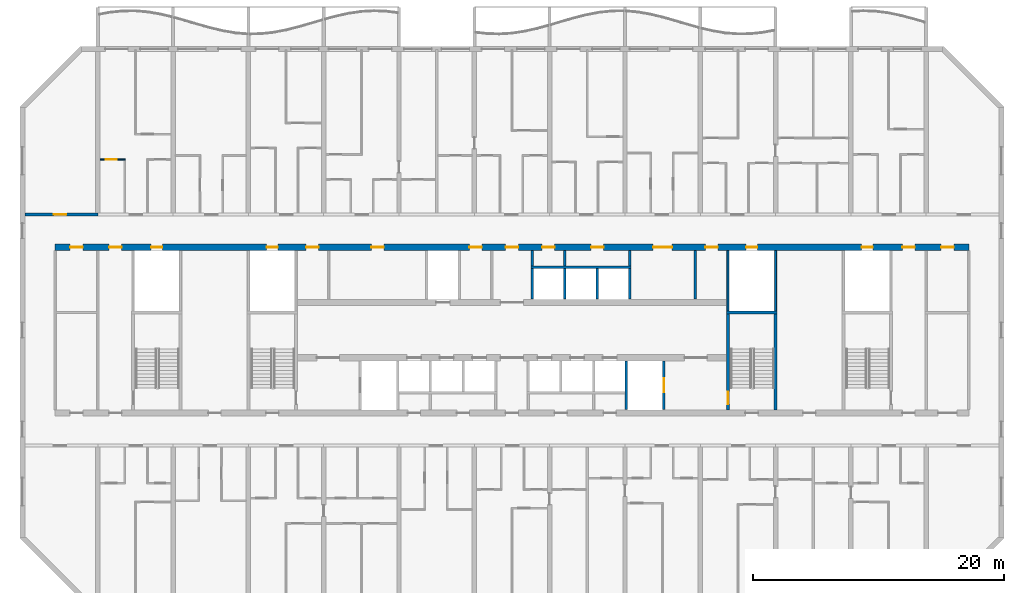
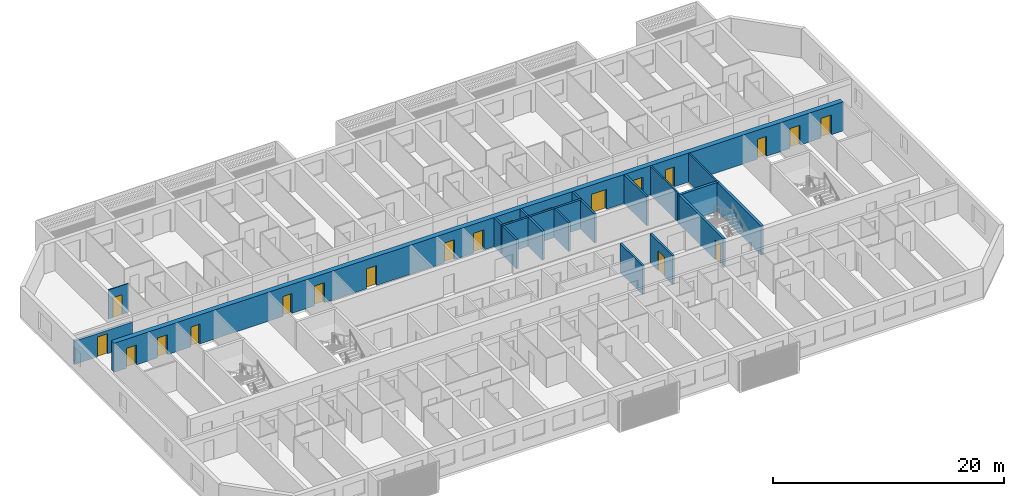
# One storey, part 8 of 24: 20 doors, 19 walls, 20 openings.
"""IFC4 building model written with IfcOpenShell, lengths in metres."""

from ifc_helpers import new_model, si_unit, direction, frame, frame_2d, origin, place, context, subcontext, project, spatial, rectangle, extrude, material, layer, layer_set, type_object, element, fill, save


model = new_model("IFC4")

# Units and contexts
model_context = context("Model", 3, precision=1e-05, world=origin(), true_north=direction((0.0, 1.0)))
body_context = subcontext(model_context, "Body", "Model", "MODEL_VIEW")
ifc_project = project(units=[si_unit("LENGTHUNIT", "METRE"), si_unit("AREAUNIT", "SQUARE_METRE"), si_unit("VOLUMEUNIT", "CUBIC_METRE"), si_unit("PLANEANGLEUNIT", "RADIAN"), si_unit("MASSUNIT", "GRAM", prefix="KILO")], contexts=[model_context])

# Site, building, storey
site_placement = place(None, origin())
site = spatial("IfcSite", under=ifc_project, at=site_placement, CompositionType="ELEMENT")
building_placement = place(site_placement, origin())
building = spatial("IfcBuilding", under=site, at=building_placement, Name="Poui Terraces", CompositionType="ELEMENT")
storey_placement = place(building_placement, frame((0.0, 0.0, 109.199951171875)))
storey = spatial("IfcBuildingStorey", under=building, at=storey_placement, Name="L30", CompositionType="ELEMENT", Elevation=109.199951171875)

# Wall, opening, door
ifc_material_1 = material(Name="Concrete 65 MPa", Category="concrete")
ifc_layer_1 = layer(ifc_material_1, 0.25)
ifc_layer_set_1 = layer_set([ifc_layer_1], Name="Concrete 65 MPa")
wall_type_1 = type_object("IfcWallType", Name="CORRIDOR WALL 250 65MPa", PredefinedType="SHEAR", material=ifc_layer_set_1)
wall_1_placement = place(storey_placement, frame((12.199951171875, 30.39990234375, 0.0), z_axis=(0.0, 0.0, 1.0), x_axis=(1.0, 0.0, 0.0)))
wall_1 = element("IfcWall", 1, at=wall_1_placement, inside=storey, type_object=wall_type_1, Name="CORRIDOR WALL LINE E BAY 1", PredefinedType="SHEAR", context=body_context, shape_type="SweptSolid", body=[
    extrude(rectangle(XDim=5.800048828125, YDim=0.25, at=frame_2d((2.89990234375, 0.0))), origin(), (0.0, 0.0, 1.0), 2.4599609375),
])
opening_1_placement = place(wall_1_placement, frame((2.300048828125, 0.0, 0.0)))
opening_1 = element("IfcOpeningElement", 2, at=opening_1_placement, cuts=wall_1, Name="Opening D100", PredefinedType="OPENING", context=body_context, shape_type="SweptSolid", body=[
    extrude(rectangle(XDim=1.0, YDim=2.10009765625, at=frame_2d((0.5, 1.050048828125))), frame((0.0, 0.135009765625, 0.0), z_axis=(0.0, -1.0, 0.0), x_axis=(1.0, 0.0, 0.0)), (0.0, 0.0, 1.0), 0.27001953125),
])
ifc_material_2 = material(Name="Solid core timber door", Category="wood")
door_type_1 = type_object("IfcDoorType", Name="ACCESSIBLE INTERNAL DOOR 1000 X 2100", OperationType="NOTDEFINED", PredefinedType="DOOR", material=ifc_material_2)
door_1_placement = place(opening_1_placement, origin())
door_1 = element("IfcDoor", 3, at=door_1_placement, inside=storey, type_object=door_type_1, Name="ACCESSIBLE INTERNAL DOOR 030", OperationType="SINGLE_SWING_LEFT", OverallHeight=2.10009765625, OverallWidth=1.0, PredefinedType="DOOR", context=body_context, shape_type="SweptSolid", body=[
    extrude(rectangle(XDim=1.0, YDim=2.10009765625, at=frame_2d((0.5, 1.050048828125))), frame((0.0, 0.02490234375, 0.0), z_axis=(0.0, -1.0, 0.0), x_axis=(1.0, 0.0, 0.0)), (0.0, 0.0, 1.0), 0.050048828125),
])
fill(opening_1, door_1)

ifc_material_3 = material(Name="Plasterboard partition")
ifc_layer_2 = layer(ifc_material_3, 0.10009765625)
ifc_layer_set_2 = layer_set([ifc_layer_2], Name="Plasterboard partition")
wall_type_2 = type_object("IfcWallType", Name="FLAT PARTITION 100", PredefinedType="PARTITIONING", material=ifc_layer_set_2)
wall_2_placement = place(storey_placement, frame((18.18505859375, 34.800048828125, 0.0), z_axis=(0.0, 0.0, 1.0), x_axis=(1.0, 0.0, 0.0)))
wall_2 = element("IfcWall", 4, at=wall_2_placement, inside=storey, type_object=wall_type_2, Name="FLAT PARTITION 100", PredefinedType="PARTITIONING", context=body_context, shape_type="SweptSolid", body=[
    extrude(rectangle(XDim=2.014892578125, YDim=0.10009765625, at=frame_2d((1.00732421875, 0.0))), origin(), (0.0, 0.0, 1.0), 3.06005859375),
])
opening_2_placement = place(wall_2_placement, frame((0.43994140625, 0.0, 0.0)))
opening_2 = element("IfcOpeningElement", 5, at=opening_2_placement, cuts=wall_2, Name="Opening D90", PredefinedType="OPENING", context=body_context, shape_type="SweptSolid", body=[
    extrude(rectangle(XDim=0.89990234375, YDim=2.10009765625, at=frame_2d((0.449951171875, 1.050048828125))), frame((0.0, 0.06005859375, 0.0), z_axis=(0.0, -1.0, 0.0), x_axis=(1.0, 0.0, 0.0)), (0.0, 0.0, 1.0), 0.1201171875),
])
door_type_2 = type_object("IfcDoorType", Name="INTERNAL DOOR 900 X 2100", OperationType="NOTDEFINED", PredefinedType="DOOR", material=ifc_material_2)
door_2_placement = place(opening_2_placement, frame((0.89990234375, 0.0, 0.0), z_axis=(0.0, 0.0, 1.0), x_axis=(-1.0, 0.0, 0.0)))
door_2 = element("IfcDoor", 6, at=door_2_placement, inside=storey, type_object=door_type_2, Name="INTERNAL DOOR 031", OperationType="SINGLE_SWING_LEFT", OverallHeight=2.10009765625, OverallWidth=0.89990234375, PredefinedType="DOOR", context=body_context, shape_type="SweptSolid", body=[
    extrude(rectangle(XDim=0.89990234375, YDim=2.10009765625, at=frame_2d((0.449951171875, 1.050048828125))), frame((0.0, 0.02490234375, 0.0), z_axis=(0.0, -1.0, 0.0), x_axis=(1.0, 0.0, 0.0)), (0.0, 0.0, 1.0), 0.050048828125),
])
fill(opening_2, door_2)

# Walls
ifc_material_4 = material(Name="Fire-rated masonry wall", Category="masonry")
ifc_layer_3 = layer(ifc_material_4, 0.199951171875)
ifc_layer_set_3 = layer_set([ifc_layer_3], Name="Fire-rated masonry wall")
wall_type_3 = type_object("IfcWallType", Name="PLANT ROOM WALL 200", PredefinedType="PARTITIONING", material=ifc_layer_set_3)
for number, where, z_axis, x_axis, name in (
    (7, (52.60009765625, 26.300048828125, 0.0), (0.0, 0.0, 1.0), (0.0, 1.0, 0.0), "PLANT ROOM WALL 200"),
    (8, (55.199951171875, 26.300048828125, 0.0), (0.0, 0.0, 1.0), (0.0, 1.0, 0.0), "PLANT ROOM WALL 200"),
    (9, (60.39990234375, 26.300048828125, 0.0), (0.0, 0.0, 1.0), (0.0, 1.0, 0.0), "PLANT ROOM WALL 200"),
):
    element("IfcWall", number, at=place(storey_placement, frame(where, z_axis=z_axis, x_axis=x_axis)), inside=storey, type_object=wall_type_3, Name=name, PredefinedType="PARTITIONING", context=body_context, shape_type="SweptSolid", body=[
        extrude(rectangle(XDim=1.239990234375, YDim=0.199951171875, at=frame_2d((0.6201171875, 0.0))), origin(), (0.0, 0.0, 1.0), 3.06005859375),
    ])
wall_3_placement = place(storey_placement, frame((65.60009765625, 23.659912109375, 0.0), z_axis=(0.0, 0.0, 1.0), x_axis=(0.0, 1.0, 0.0)))
element("IfcWall", 10, at=wall_3_placement, inside=storey, type_object=wall_type_3, Name="PLANT ROOM WALL 200", PredefinedType="PARTITIONING", context=body_context, shape_type="SweptSolid", body=[
    extrude(rectangle(XDim=3.880126953125, YDim=0.199951171875, at=frame_2d((1.93994140625, 0.0))), origin(), (0.0, 0.0, 1.0), 3.06005859375),
])
ifc_material_5 = material(Name="Fire-rated plasterboard riser wall")
ifc_layer_4 = layer(ifc_material_5, 0.14990234375)
ifc_layer_set_4 = layer_set([ifc_layer_4], Name="Fire-rated plasterboard riser wall")
wall_type_4 = type_object("IfcWallType", Name="RISER WALL 150", PredefinedType="PARTITIONING", material=ifc_layer_set_4)
for number, where, z_axis, x_axis, name in (
    (11, (68.199951171875, 22.735107421875, 0.0), (0.0, 0.0, 1.0), (0.0, 1.0, 0.0), "RISER WALL 150"),
    (12, (72.0, 22.735107421875, 0.0), (0.0, 0.0, 1.0), (0.0, 1.0, 0.0), "RISER WALL 150"),
):
    element("IfcWall", number, at=place(storey_placement, frame(where, z_axis=z_axis, x_axis=x_axis)), inside=storey, type_object=wall_type_4, Name=name, PredefinedType="PARTITIONING", context=body_context, shape_type="SweptSolid", body=[
        extrude(rectangle(XDim=4.804931640625, YDim=0.14990234375, at=frame_2d((2.40234375, 0.0))), origin(), (0.0, 0.0, 1.0), 3.06005859375),
    ])
ifc_material_6 = material(Name="Fire-rated masonry shaft wall", Category="masonry")
ifc_layer_5 = layer(ifc_material_6, 0.199951171875)
ifc_layer_set_5 = layer_set([ifc_layer_5], Name="Fire-rated masonry shaft wall")
wall_type_5 = type_object("IfcWallType", Name="SHAFT WALL 200", PredefinedType="PARTITIONING", material=ifc_layer_set_5)
wall_4_placement = place(storey_placement, frame((52.5, 26.199951171875, 0.0), z_axis=(0.0, 0.0, 1.0), x_axis=(1.0, 0.0, 0.0)))
element("IfcWall", 13, at=wall_4_placement, inside=storey, type_object=wall_type_5, Name="SHAFT WALL 200", PredefinedType="PARTITIONING", context=body_context, shape_type="SweptSolid", body=[
    extrude(rectangle(XDim=8.0, YDim=0.199951171875, at=frame_2d((4.0, 0.0))), origin(), (0.0, 0.0, 1.0), 3.06005859375),
])
for number, where, z_axis, x_axis, name in (
    (14, (52.60009765625, 23.659912109375, 0.0), (0.0, 0.0, 1.0), (0.0, 1.0, 0.0), "SHAFT WALL 200"),
    (15, (55.199951171875, 23.659912109375, 0.0), (0.0, 0.0, 1.0), (0.0, 1.0, 0.0), "SHAFT WALL 200"),
    (16, (57.800048828125, 23.659912109375, 0.0), (0.0, 0.0, 1.0), (0.0, 1.0, 0.0), "SHAFT WALL 200"),
):
    element("IfcWall", number, at=place(storey_placement, frame(where, z_axis=z_axis, x_axis=x_axis)), inside=storey, type_object=wall_type_5, Name=name, PredefinedType="PARTITIONING", context=body_context, shape_type="SweptSolid", body=[
        extrude(rectangle(XDim=2.440185546875, YDim=0.199951171875, at=frame_2d((1.22021484375, 0.0))), origin(), (0.0, 0.0, 1.0), 3.06005859375),
    ])
wall_5_placement = place(storey_placement, frame((60.10009765625, 14.860107421875, 0.0), z_axis=(0.0, 0.0, 1.0), x_axis=(0.0, 1.0, 0.0)))
element("IfcWall", 17, at=wall_5_placement, inside=storey, type_object=wall_type_5, Name="SHAFT WALL 200", PredefinedType="PARTITIONING", context=body_context, shape_type="SweptSolid", body=[
    extrude(rectangle(XDim=3.8798828125, YDim=0.199951171875, at=frame_2d((1.93994140625, 0.0))), origin(), (0.0, 0.0, 1.0), 3.06005859375),
])
wall_6_placement = place(storey_placement, frame((60.39990234375, 23.659912109375, 0.0), z_axis=(0.0, 0.0, 1.0), x_axis=(0.0, 1.0, 0.0)))
element("IfcWall", 18, at=wall_6_placement, inside=storey, type_object=wall_type_5, Name="SHAFT WALL 200", PredefinedType="PARTITIONING", context=body_context, shape_type="SweptSolid", body=[
    extrude(rectangle(XDim=2.440185546875, YDim=0.199951171875, at=frame_2d((1.22021484375, 0.0))), origin(), (0.0, 0.0, 1.0), 3.06005859375),
])

# Wall, opening, door
wall_7_placement = place(storey_placement, frame((63.10009765625, 14.860107421875, 0.0), z_axis=(0.0, 0.0, 1.0), x_axis=(0.0, 1.0, 0.0)))
wall_7 = element("IfcWall", 19, at=wall_7_placement, inside=storey, type_object=wall_type_5, Name="SHAFT WALL 200", PredefinedType="PARTITIONING", context=body_context, shape_type="SweptSolid", body=[
    extrude(rectangle(XDim=3.8798828125, YDim=0.199951171875, at=frame_2d((1.93994140625, 0.0))), origin(), (0.0, 0.0, 1.0), 3.06005859375),
])
opening_3_placement = place(wall_7_placement, frame((1.389892578125, 0.0, 0.0)))
opening_3 = element("IfcOpeningElement", 20, at=opening_3_placement, cuts=wall_7, Name="Opening LD", PredefinedType="OPENING", context=body_context, shape_type="SweptSolid", body=[
    extrude(rectangle(XDim=1.10009765625, YDim=2.10009765625, at=frame_2d((0.550048828125, 1.050048828125))), frame((0.0, 0.10986328125, 0.0), z_axis=(0.0, -1.0, 0.0), x_axis=(1.0, 0.0, 0.0)), (0.0, 0.0, 1.0), 0.219970703125),
])
ifc_material_7 = material(Name="Stainless steel sliding door", Category="steel")
door_type_3 = type_object("IfcDoorType", Name="LIFT LANDING DOOR 1100 X 2100", OperationType="DOUBLE_DOOR_SLIDING", PredefinedType="DOOR", material=ifc_material_7)
door_3_placement = place(opening_3_placement, origin())
door_3 = element("IfcDoor", 21, at=door_3_placement, inside=storey, type_object=door_type_3, Name="LANDING DOOR", OperationType="DOUBLE_DOOR_SLIDING", OverallHeight=2.10009765625, OverallWidth=1.10009765625, PredefinedType="DOOR", context=body_context, shape_type="SweptSolid", body=[
    extrude(rectangle(XDim=1.10009765625, YDim=2.10009765625, at=frame_2d((0.550048828125, 1.050048828125))), frame((0.0, 0.02490234375, 0.0), z_axis=(0.0, -1.0, 0.0), x_axis=(1.0, 0.0, 0.0)), (0.0, 0.0, 1.0), 0.050048828125),
])
fill(opening_3, door_3)

# Wall, openings, doors
ifc_layer_6 = layer(ifc_material_1, 0.5)
ifc_layer_set_6 = layer_set([ifc_layer_6], Name="Concrete 65 MPa")
wall_type_6 = type_object("IfcWallType", Name="SPINE WALL 500 65 MPA", PredefinedType="SOLIDWALL", material=ifc_layer_set_6)
wall_8_placement = place(storey_placement, frame((14.60009765625, 27.800048828125, 0.0), z_axis=(0.0, 0.0, 1.0), x_axis=(1.0, 0.0, 0.0)))
wall_8 = element("IfcWall", 22, at=wall_8_placement, inside=storey, type_object=wall_type_6, Name="SPINE WALL", PredefinedType="SOLIDWALL", context=body_context, shape_type="SweptSolid", body=[
    extrude(rectangle(XDim=72.7998046875, YDim=0.5, at=frame_2d((36.39990234375, 0.0))), origin(), (0.0, 0.0, 1.0), 3.06005859375),
])
opening_4_placement = place(wall_8_placement, frame((1.199951171875, 0.0, 0.0)))
opening_4 = element("IfcOpeningElement", 23, at=opening_4_placement, cuts=wall_8, Name="Opening D100", PredefinedType="OPENING", context=body_context, shape_type="SweptSolid", body=[
    extrude(rectangle(XDim=1.0, YDim=2.10009765625, at=frame_2d((0.5, 1.050048828125))), frame((0.0, 0.260009765625, 0.0), z_axis=(0.0, -1.0, 0.0), x_axis=(1.0, 0.0, 0.0)), (0.0, 0.0, 1.0), 0.52001953125),
])
opening_5_placement = place(wall_8_placement, frame((4.300048828125, 0.0, 0.0)))
opening_5 = element("IfcOpeningElement", 24, at=opening_5_placement, cuts=wall_8, Name="Opening FDL", PredefinedType="OPENING", context=body_context, shape_type="SweptSolid", body=[
    extrude(rectangle(XDim=1.0, YDim=2.10009765625, at=frame_2d((0.5, 1.050048828125))), frame((0.0, 0.260009765625, 0.0), z_axis=(0.0, -1.0, 0.0), x_axis=(1.0, 0.0, 0.0)), (0.0, 0.0, 1.0), 0.52001953125),
])
opening_6_placement = place(wall_8_placement, frame((7.64990234375, 0.0, 0.0)))
opening_6 = element("IfcOpeningElement", 25, at=opening_6_placement, cuts=wall_8, Name="Opening FDR", PredefinedType="OPENING", context=body_context, shape_type="SweptSolid", body=[
    extrude(rectangle(XDim=0.89990234375, YDim=2.10009765625, at=frame_2d((0.449951171875, 1.050048828125))), frame((0.0, 0.260009765625, 0.0), z_axis=(0.0, -1.0, 0.0), x_axis=(1.0, 0.0, 0.0)), (0.0, 0.0, 1.0), 0.52001953125),
])
opening_7_placement = place(wall_8_placement, frame((16.85009765625, 0.0, 0.0)))
opening_7 = element("IfcOpeningElement", 26, at=opening_7_placement, cuts=wall_8, Name="Opening FDR", PredefinedType="OPENING", context=body_context, shape_type="SweptSolid", body=[
    extrude(rectangle(XDim=0.89990234375, YDim=2.10009765625, at=frame_2d((0.449951171875, 1.050048828125))), frame((0.0, 0.260009765625, 0.0), z_axis=(0.0, -1.0, 0.0), x_axis=(1.0, 0.0, 0.0)), (0.0, 0.0, 1.0), 0.52001953125),
])
opening_8_placement = place(wall_8_placement, frame((20.0, 0.0, 0.0)))
opening_8 = element("IfcOpeningElement", 27, at=opening_8_placement, cuts=wall_8, Name="Opening FD60", PredefinedType="OPENING", context=body_context, shape_type="SweptSolid", body=[
    extrude(rectangle(XDim=1.0, YDim=2.10009765625, at=frame_2d((0.5, 1.050048828125))), frame((0.0, 0.260009765625, 0.0), z_axis=(0.0, -1.0, 0.0), x_axis=(1.0, 0.0, 0.0)), (0.0, 0.0, 1.0), 0.52001953125),
])
opening_9_placement = place(wall_8_placement, frame((25.199951171875, 0.0, 0.0)))
opening_9 = element("IfcOpeningElement", 28, at=opening_9_placement, cuts=wall_8, Name="Opening FD60", PredefinedType="OPENING", context=body_context, shape_type="SweptSolid", body=[
    extrude(rectangle(XDim=1.0, YDim=2.10009765625, at=frame_2d((0.5, 1.050048828125))), frame((0.0, 0.260009765625, 0.0), z_axis=(0.0, -1.0, 0.0), x_axis=(1.0, 0.0, 0.0)), (0.0, 0.0, 1.0), 0.52001953125),
])
opening_10_placement = place(wall_8_placement, frame((33.0, 0.0, 0.0)))
opening_10 = element("IfcOpeningElement", 29, at=opening_10_placement, cuts=wall_8, Name="Opening FD60", PredefinedType="OPENING", context=body_context, shape_type="SweptSolid", body=[
    extrude(rectangle(XDim=1.0, YDim=2.10009765625, at=frame_2d((0.5, 1.050048828125))), frame((0.0, 0.260009765625, 0.0), z_axis=(0.0, -1.0, 0.0), x_axis=(1.0, 0.0, 0.0)), (0.0, 0.0, 1.0), 0.52001953125),
])
opening_11_placement = place(wall_8_placement, frame((35.89990234375, 0.0, 0.0)))
opening_11 = element("IfcOpeningElement", 30, at=opening_11_placement, cuts=wall_8, Name="Opening FDL", PredefinedType="OPENING", context=body_context, shape_type="SweptSolid", body=[
    extrude(rectangle(XDim=1.0, YDim=2.10009765625, at=frame_2d((0.5, 1.050048828125))), frame((0.0, 0.260009765625, 0.0), z_axis=(0.0, -1.0, 0.0), x_axis=(1.0, 0.0, 0.0)), (0.0, 0.0, 1.0), 0.52001953125),
])
opening_12_placement = place(wall_8_placement, frame((38.800048828125, 0.0, 0.0)))
opening_12 = element("IfcOpeningElement", 31, at=opening_12_placement, cuts=wall_8, Name="Opening FD60", PredefinedType="OPENING", context=body_context, shape_type="SweptSolid", body=[
    extrude(rectangle(XDim=1.0, YDim=2.10009765625, at=frame_2d((0.5, 1.050048828125))), frame((0.0, 0.260009765625, 0.0), z_axis=(0.0, -1.0, 0.0), x_axis=(1.0, 0.0, 0.0)), (0.0, 0.0, 1.0), 0.52001953125),
])
opening_13_placement = place(wall_8_placement, frame((42.699951171875, 0.0, 0.0)))
opening_13 = element("IfcOpeningElement", 32, at=opening_13_placement, cuts=wall_8, Name="Opening FD60", PredefinedType="OPENING", context=body_context, shape_type="SweptSolid", body=[
    extrude(rectangle(XDim=1.0, YDim=2.10009765625, at=frame_2d((0.5, 1.050048828125))), frame((0.0, 0.260009765625, 0.0), z_axis=(0.0, -1.0, 0.0), x_axis=(1.0, 0.0, 0.0)), (0.0, 0.0, 1.0), 0.52001953125),
])
opening_14_placement = place(wall_8_placement, frame((47.64990234375, 0.0, 0.0)))
opening_14 = element("IfcOpeningElement", 33, at=opening_14_placement, cuts=wall_8, Name="Opening FDP", PredefinedType="OPENING", context=body_context, shape_type="SweptSolid", body=[
    extrude(rectangle(XDim=1.5, YDim=2.10009765625, at=frame_2d((0.75, 1.050048828125))), frame((0.0, 0.260009765625, 0.0), z_axis=(0.0, -1.0, 0.0), x_axis=(1.0, 0.0, 0.0)), (0.0, 0.0, 1.0), 0.52001953125),
])
opening_15_placement = place(wall_8_placement, frame((51.800048828125, 0.0, 0.0)))
opening_15 = element("IfcOpeningElement", 34, at=opening_15_placement, cuts=wall_8, Name="Opening FD60", PredefinedType="OPENING", context=body_context, shape_type="SweptSolid", body=[
    extrude(rectangle(XDim=1.0, YDim=2.10009765625, at=frame_2d((0.5, 1.050048828125))), frame((0.0, 0.260009765625, 0.0), z_axis=(0.0, -1.0, 0.0), x_axis=(1.0, 0.0, 0.0)), (0.0, 0.0, 1.0), 0.52001953125),
])
opening_16_placement = place(wall_8_placement, frame((55.050048828125, 0.0, 0.0)))
opening_16 = element("IfcOpeningElement", 35, at=opening_16_placement, cuts=wall_8, Name="Opening FDR", PredefinedType="OPENING", context=body_context, shape_type="SweptSolid", body=[
    extrude(rectangle(XDim=0.89990234375, YDim=2.10009765625, at=frame_2d((0.449951171875, 1.050048828125))), frame((0.0, 0.260009765625, 0.0), z_axis=(0.0, -1.0, 0.0), x_axis=(1.0, 0.0, 0.0)), (0.0, 0.0, 1.0), 0.52001953125),
])
opening_17_placement = place(wall_8_placement, frame((64.25, 0.0, 0.0)))
opening_17 = element("IfcOpeningElement", 36, at=opening_17_placement, cuts=wall_8, Name="Opening FDR", PredefinedType="OPENING", context=body_context, shape_type="SweptSolid", body=[
    extrude(rectangle(XDim=0.89990234375, YDim=2.10009765625, at=frame_2d((0.449951171875, 1.050048828125))), frame((0.0, 0.260009765625, 0.0), z_axis=(0.0, -1.0, 0.0), x_axis=(1.0, 0.0, 0.0)), (0.0, 0.0, 1.0), 0.52001953125),
])
opening_18_placement = place(wall_8_placement, frame((67.5, 0.0, 0.0)))
opening_18 = element("IfcOpeningElement", 37, at=opening_18_placement, cuts=wall_8, Name="Opening FDL", PredefinedType="OPENING", context=body_context, shape_type="SweptSolid", body=[
    extrude(rectangle(XDim=1.0, YDim=2.10009765625, at=frame_2d((0.5, 1.050048828125))), frame((0.0, 0.260009765625, 0.0), z_axis=(0.0, -1.0, 0.0), x_axis=(1.0, 0.0, 0.0)), (0.0, 0.0, 1.0), 0.52001953125),
])
opening_19_placement = place(wall_8_placement, frame((70.60009765625, 0.0, 0.0)))
opening_19 = element("IfcOpeningElement", 38, at=opening_19_placement, cuts=wall_8, Name="Opening D100", PredefinedType="OPENING", context=body_context, shape_type="SweptSolid", body=[
    extrude(rectangle(XDim=1.0, YDim=2.10009765625, at=frame_2d((0.5, 1.050048828125))), frame((0.0, 0.260009765625, 0.0), z_axis=(0.0, -1.0, 0.0), x_axis=(1.0, 0.0, 0.0)), (0.0, 0.0, 1.0), 0.52001953125),
])
door_4_placement = place(opening_4_placement, origin())
door_4 = element("IfcDoor", 39, at=door_4_placement, inside=storey, type_object=door_type_1, Name="ACCESSIBLE INTERNAL DOOR 001", OperationType="SINGLE_SWING_LEFT", OverallHeight=2.10009765625, OverallWidth=1.0, PredefinedType="DOOR", context=body_context, shape_type="SweptSolid", body=[
    extrude(rectangle(XDim=1.0, YDim=2.10009765625, at=frame_2d((0.5, 1.050048828125))), frame((0.0, 0.02490234375, 0.0), z_axis=(0.0, -1.0, 0.0), x_axis=(1.0, 0.0, 0.0)), (0.0, 0.0, 1.0), 0.050048828125),
])
fill(opening_4, door_4)
door_5_placement = place(opening_19_placement, origin())
door_5 = element("IfcDoor", 40, at=door_5_placement, inside=storey, type_object=door_type_1, Name="ACCESSIBLE INTERNAL DOOR 016", OperationType="SINGLE_SWING_LEFT", OverallHeight=2.10009765625, OverallWidth=1.0, PredefinedType="DOOR", context=body_context, shape_type="SweptSolid", body=[
    extrude(rectangle(XDim=1.0, YDim=2.10009765625, at=frame_2d((0.5, 1.050048828125))), frame((0.0, 0.02490234375, 0.0), z_axis=(0.0, -1.0, 0.0), x_axis=(1.0, 0.0, 0.0)), (0.0, 0.0, 1.0), 0.050048828125),
])
fill(opening_19, door_5)
ifc_material_8 = material(Name="Steel fire door", Category="steel")
door_type_4 = type_object("IfcDoorType", Name="LOBBY FIRE DOOR 1000 X 2100", OperationType="NOTDEFINED", PredefinedType="DOOR", material=ifc_material_8)
door_6_placement = place(opening_5_placement, origin())
door_6 = element("IfcDoor", 41, at=door_6_placement, inside=storey, type_object=door_type_4, Name="LOBBY FIRE DOOR 002", OperationType="SINGLE_SWING_LEFT", OverallHeight=2.10009765625, OverallWidth=1.0, PredefinedType="DOOR", context=body_context, shape_type="SweptSolid", body=[
    extrude(rectangle(XDim=1.0, YDim=2.10009765625, at=frame_2d((0.5, 1.050048828125))), frame((0.0, 0.02490234375, 0.0), z_axis=(0.0, -1.0, 0.0), x_axis=(1.0, 0.0, 0.0)), (0.0, 0.0, 1.0), 0.050048828125),
])
fill(opening_5, door_6)
door_7_placement = place(opening_11_placement, origin())
door_7 = element("IfcDoor", 42, at=door_7_placement, inside=storey, type_object=door_type_4, Name="LOBBY FIRE DOOR 008", OperationType="SINGLE_SWING_RIGHT", OverallHeight=2.10009765625, OverallWidth=1.0, PredefinedType="DOOR", context=body_context, shape_type="SweptSolid", body=[
    extrude(rectangle(XDim=1.0, YDim=2.10009765625, at=frame_2d((0.5, 1.050048828125))), frame((0.0, 0.02490234375, 0.0), z_axis=(0.0, -1.0, 0.0), x_axis=(1.0, 0.0, 0.0)), (0.0, 0.0, 1.0), 0.050048828125),
])
fill(opening_11, door_7)
door_8_placement = place(opening_18_placement, origin())
door_8 = element("IfcDoor", 43, at=door_8_placement, inside=storey, type_object=door_type_4, Name="LOBBY FIRE DOOR 015", OperationType="SINGLE_SWING_RIGHT", OverallHeight=2.10009765625, OverallWidth=1.0, PredefinedType="DOOR", context=body_context, shape_type="SweptSolid", body=[
    extrude(rectangle(XDim=1.0, YDim=2.10009765625, at=frame_2d((0.5, 1.050048828125))), frame((0.0, 0.02490234375, 0.0), z_axis=(0.0, -1.0, 0.0), x_axis=(1.0, 0.0, 0.0)), (0.0, 0.0, 1.0), 0.050048828125),
])
fill(opening_18, door_8)
door_type_5 = type_object("IfcDoorType", Name="PLANT ROOM DOOR PAIR 1500 X 2100", OperationType="DOUBLE_DOOR_SINGLE_SWING", PredefinedType="DOOR", material=ifc_material_8)
door_9_placement = place(opening_14_placement, origin())
door_9 = element("IfcDoor", 44, at=door_9_placement, inside=storey, type_object=door_type_5, Name="PLANT ROOM DOOR PAIR 011", OperationType="DOUBLE_DOOR_SINGLE_SWING", OverallHeight=2.10009765625, OverallWidth=1.5, PredefinedType="DOOR", context=body_context, shape_type="SweptSolid", body=[
    extrude(rectangle(XDim=1.5, YDim=2.10009765625, at=frame_2d((0.75, 1.050048828125))), frame((0.0, 0.02490234375, 0.0), z_axis=(0.0, -1.0, 0.0), x_axis=(1.0, 0.0, 0.0)), (0.0, 0.0, 1.0), 0.050048828125),
])
fill(opening_14, door_9)
door_type_6 = type_object("IfcDoorType", Name="RISER CUPBOARD DOOR 900 X 2100", OperationType="NOTDEFINED", PredefinedType="DOOR", material=ifc_material_8)
door_10_placement = place(opening_6_placement, origin())
door_10 = element("IfcDoor", 45, at=door_10_placement, inside=storey, type_object=door_type_6, Name="RISER CUPBOARD DOOR 003", OperationType="SINGLE_SWING_LEFT", OverallHeight=2.10009765625, OverallWidth=0.89990234375, PredefinedType="DOOR", context=body_context, shape_type="SweptSolid", body=[
    extrude(rectangle(XDim=0.89990234375, YDim=2.10009765625, at=frame_2d((0.449951171875, 1.050048828125))), frame((0.0, 0.02490234375, 0.0), z_axis=(0.0, -1.0, 0.0), x_axis=(1.0, 0.0, 0.0)), (0.0, 0.0, 1.0), 0.050048828125),
])
fill(opening_6, door_10)
door_11_placement = place(opening_7_placement, origin())
door_11 = element("IfcDoor", 46, at=door_11_placement, inside=storey, type_object=door_type_6, Name="RISER CUPBOARD DOOR 004", OperationType="SINGLE_SWING_LEFT", OverallHeight=2.10009765625, OverallWidth=0.89990234375, PredefinedType="DOOR", context=body_context, shape_type="SweptSolid", body=[
    extrude(rectangle(XDim=0.89990234375, YDim=2.10009765625, at=frame_2d((0.449951171875, 1.050048828125))), frame((0.0, 0.02490234375, 0.0), z_axis=(0.0, -1.0, 0.0), x_axis=(1.0, 0.0, 0.0)), (0.0, 0.0, 1.0), 0.050048828125),
])
fill(opening_7, door_11)
door_12_placement = place(opening_16_placement, origin())
door_12 = element("IfcDoor", 47, at=door_12_placement, inside=storey, type_object=door_type_6, Name="RISER CUPBOARD DOOR 013", OperationType="SINGLE_SWING_RIGHT", OverallHeight=2.10009765625, OverallWidth=0.89990234375, PredefinedType="DOOR", context=body_context, shape_type="SweptSolid", body=[
    extrude(rectangle(XDim=0.89990234375, YDim=2.10009765625, at=frame_2d((0.449951171875, 1.050048828125))), frame((0.0, 0.02490234375, 0.0), z_axis=(0.0, -1.0, 0.0), x_axis=(1.0, 0.0, 0.0)), (0.0, 0.0, 1.0), 0.050048828125),
])
fill(opening_16, door_12)
door_13_placement = place(opening_17_placement, origin())
door_13 = element("IfcDoor", 48, at=door_13_placement, inside=storey, type_object=door_type_6, Name="RISER CUPBOARD DOOR 014", OperationType="SINGLE_SWING_RIGHT", OverallHeight=2.10009765625, OverallWidth=0.89990234375, PredefinedType="DOOR", context=body_context, shape_type="SweptSolid", body=[
    extrude(rectangle(XDim=0.89990234375, YDim=2.10009765625, at=frame_2d((0.449951171875, 1.050048828125))), frame((0.0, 0.02490234375, 0.0), z_axis=(0.0, -1.0, 0.0), x_axis=(1.0, 0.0, 0.0)), (0.0, 0.0, 1.0), 0.050048828125),
])
fill(opening_17, door_13)
door_type_7 = type_object("IfcDoorType", Name="SERVICE ROOM FIRE DOOR 1000 X 2100", OperationType="NOTDEFINED", PredefinedType="DOOR", material=ifc_material_8)
door_14_placement = place(opening_8_placement, origin())
door_14 = element("IfcDoor", 49, at=door_14_placement, inside=storey, type_object=door_type_7, Name="SERVICE ROOM FIRE DOOR 005", OperationType="SINGLE_SWING_LEFT", OverallHeight=2.10009765625, OverallWidth=1.0, PredefinedType="DOOR", context=body_context, shape_type="SweptSolid", body=[
    extrude(rectangle(XDim=1.0, YDim=2.10009765625, at=frame_2d((0.5, 1.050048828125))), frame((0.0, 0.02490234375, 0.0), z_axis=(0.0, -1.0, 0.0), x_axis=(1.0, 0.0, 0.0)), (0.0, 0.0, 1.0), 0.050048828125),
])
fill(opening_8, door_14)
door_15_placement = place(opening_9_placement, origin())
door_15 = element("IfcDoor", 50, at=door_15_placement, inside=storey, type_object=door_type_7, Name="SERVICE ROOM FIRE DOOR 006", OperationType="SINGLE_SWING_RIGHT", OverallHeight=2.10009765625, OverallWidth=1.0, PredefinedType="DOOR", context=body_context, shape_type="SweptSolid", body=[
    extrude(rectangle(XDim=1.0, YDim=2.10009765625, at=frame_2d((0.5, 1.050048828125))), frame((0.0, 0.02490234375, 0.0), z_axis=(0.0, -1.0, 0.0), x_axis=(1.0, 0.0, 0.0)), (0.0, 0.0, 1.0), 0.050048828125),
])
fill(opening_9, door_15)
door_16_placement = place(opening_10_placement, origin())
door_16 = element("IfcDoor", 51, at=door_16_placement, inside=storey, type_object=door_type_7, Name="SERVICE ROOM FIRE DOOR 007", OperationType="SINGLE_SWING_LEFT", OverallHeight=2.10009765625, OverallWidth=1.0, PredefinedType="DOOR", context=body_context, shape_type="SweptSolid", body=[
    extrude(rectangle(XDim=1.0, YDim=2.10009765625, at=frame_2d((0.5, 1.050048828125))), frame((0.0, 0.02490234375, 0.0), z_axis=(0.0, -1.0, 0.0), x_axis=(1.0, 0.0, 0.0)), (0.0, 0.0, 1.0), 0.050048828125),
])
fill(opening_10, door_16)
door_17_placement = place(opening_12_placement, origin())
door_17 = element("IfcDoor", 52, at=door_17_placement, inside=storey, type_object=door_type_7, Name="SERVICE ROOM FIRE DOOR 009", OperationType="SINGLE_SWING_RIGHT", OverallHeight=2.10009765625, OverallWidth=1.0, PredefinedType="DOOR", context=body_context, shape_type="SweptSolid", body=[
    extrude(rectangle(XDim=1.0, YDim=2.10009765625, at=frame_2d((0.5, 1.050048828125))), frame((0.0, 0.02490234375, 0.0), z_axis=(0.0, -1.0, 0.0), x_axis=(1.0, 0.0, 0.0)), (0.0, 0.0, 1.0), 0.050048828125),
])
fill(opening_12, door_17)
door_18_placement = place(opening_13_placement, origin())
door_18 = element("IfcDoor", 53, at=door_18_placement, inside=storey, type_object=door_type_7, Name="SERVICE ROOM FIRE DOOR 010", OperationType="SINGLE_SWING_LEFT", OverallHeight=2.10009765625, OverallWidth=1.0, PredefinedType="DOOR", context=body_context, shape_type="SweptSolid", body=[
    extrude(rectangle(XDim=1.0, YDim=2.10009765625, at=frame_2d((0.5, 1.050048828125))), frame((0.0, 0.02490234375, 0.0), z_axis=(0.0, -1.0, 0.0), x_axis=(1.0, 0.0, 0.0)), (0.0, 0.0, 1.0), 0.050048828125),
])
fill(opening_13, door_18)
door_19_placement = place(opening_15_placement, origin())
door_19 = element("IfcDoor", 54, at=door_19_placement, inside=storey, type_object=door_type_7, Name="SERVICE ROOM FIRE DOOR 012", OperationType="SINGLE_SWING_LEFT", OverallHeight=2.10009765625, OverallWidth=1.0, PredefinedType="DOOR", context=body_context, shape_type="SweptSolid", body=[
    extrude(rectangle(XDim=1.0, YDim=2.10009765625, at=frame_2d((0.5, 1.050048828125))), frame((0.0, 0.02490234375, 0.0), z_axis=(0.0, -1.0, 0.0), x_axis=(1.0, 0.0, 0.0)), (0.0, 0.0, 1.0), 0.050048828125),
])
fill(opening_15, door_19)

# Wall, opening, door
ifc_layer_7 = layer(ifc_material_1, 0.25)
ifc_layer_set_7 = layer_set([ifc_layer_7], Name="Concrete 65 MPa")
wall_type_7 = type_object("IfcWallType", Name="STAIR CORE WALL 250 65 MPA", PredefinedType="SOLIDWALL", material=ifc_layer_set_7)
wall_9_placement = place(storey_placement, frame((68.199951171875, 14.85009765625, 0.0), z_axis=(0.0, 0.0, 1.0), x_axis=(0.0, 1.0, 0.0)))
wall_9 = element("IfcWall", 55, at=wall_9_placement, inside=storey, type_object=wall_type_7, Name="STAIR CORE WALL", PredefinedType="SOLIDWALL", context=body_context, shape_type="SweptSolid", body=[
    extrude(rectangle(XDim=7.625, YDim=0.25, at=frame_2d((3.8125, 0.0))), origin(), (0.0, 0.0, 1.0), 3.06005859375),
])
opening_20_placement = place(wall_9_placement, frame((0.449951171875, 0.0, 0.0)))
opening_20 = element("IfcOpeningElement", 56, at=opening_20_placement, cuts=wall_9, Name="Opening FD60S", PredefinedType="OPENING", context=body_context, shape_type="SweptSolid", body=[
    extrude(rectangle(XDim=1.0, YDim=2.10009765625, at=frame_2d((0.5, 1.050048828125))), frame((0.0, 0.135009765625, 0.0), z_axis=(0.0, -1.0, 0.0), x_axis=(1.0, 0.0, 0.0)), (0.0, 0.0, 1.0), 0.27001953125),
])
door_type_8 = type_object("IfcDoorType", Name="STAIR DOOR 1000 X 2100", OperationType="NOTDEFINED", PredefinedType="DOOR", material=ifc_material_8)
door_20_placement = place(opening_20_placement, frame((1.0, 0.0, 0.0), z_axis=(0.0, 0.0, 1.0), x_axis=(-1.0, 0.0, 0.0)))
door_20 = element("IfcDoor", 57, at=door_20_placement, inside=storey, type_object=door_type_8, Name="STAIR DOOR 121", OperationType="SINGLE_SWING_LEFT", OverallHeight=2.10009765625, OverallWidth=1.0, PredefinedType="DOOR", context=body_context, shape_type="SweptSolid", body=[
    extrude(rectangle(XDim=1.0, YDim=2.10009765625, at=frame_2d((0.5, 1.050048828125))), frame((0.0, 0.02490234375, 0.0), z_axis=(0.0, -1.0, 0.0), x_axis=(1.0, 0.0, 0.0)), (0.0, 0.0, 1.0), 0.050048828125),
])
fill(opening_20, door_20)

# Walls
wall_10_placement = place(storey_placement, frame((72.0, 14.85009765625, 0.0), z_axis=(0.0, 0.0, 1.0), x_axis=(0.0, 1.0, 0.0)))
element("IfcWall", 58, at=wall_10_placement, inside=storey, type_object=wall_type_7, Name="STAIR CORE WALL", PredefinedType="SOLIDWALL", context=body_context, shape_type="SweptSolid", body=[
    extrude(rectangle(XDim=7.625, YDim=0.25, at=frame_2d((3.8125, 0.0))), origin(), (0.0, 0.0, 1.0), 3.06005859375),
])
wall_11_placement = place(storey_placement, frame((68.074951171875, 22.60009765625, 0.0), z_axis=(0.0, 0.0, 1.0), x_axis=(1.0, 0.0, 0.0)))
element("IfcWall", 59, at=wall_11_placement, inside=storey, type_object=wall_type_7, Name="STAIR CORE WALL", PredefinedType="SOLIDWALL", context=body_context, shape_type="SweptSolid", body=[
    extrude(rectangle(XDim=4.050048828125, YDim=0.25, at=frame_2d((2.02490234375, 0.0))), origin(), (0.0, 0.0, 1.0), 3.06005859375),
])

save(model, "model.ifc")
